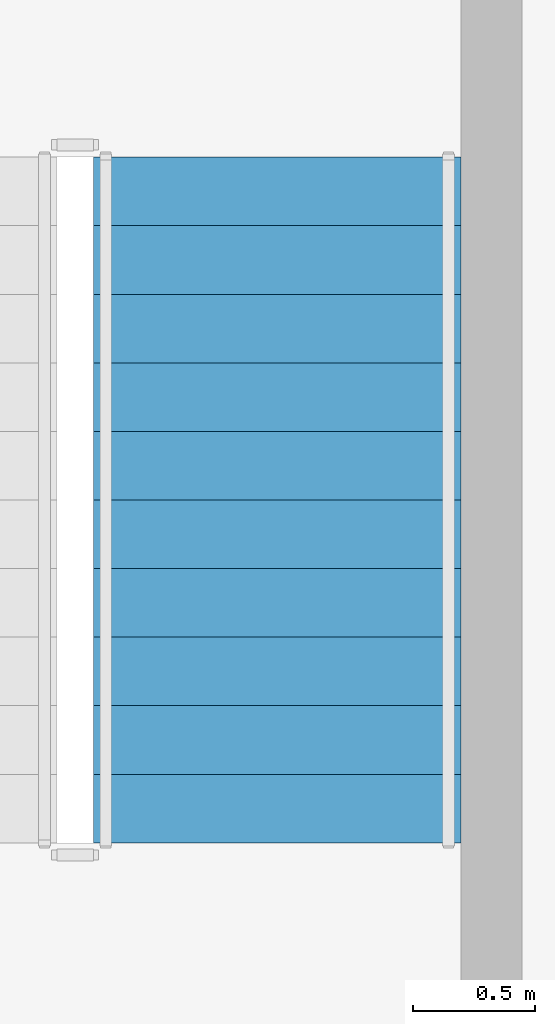
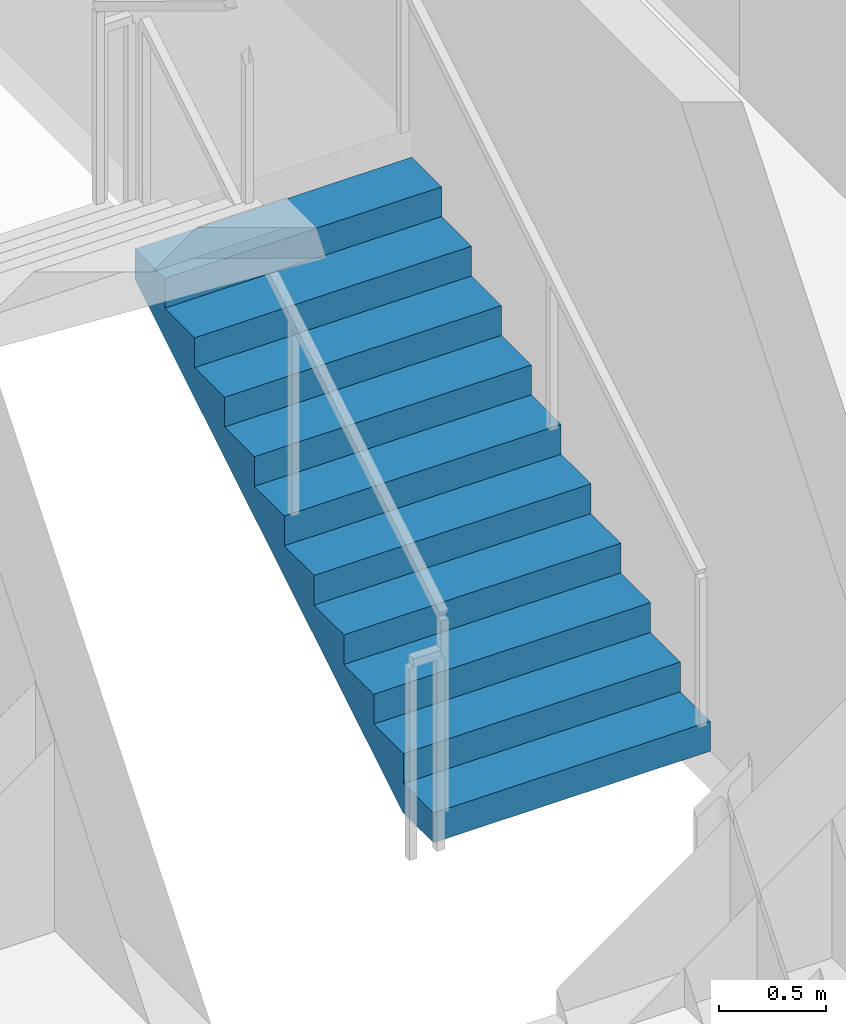
# One storey, part 12 of 17: 1 stair flight, 1 element without a shape of its own.
"""IFC4 building model written with IfcOpenShell, lengths in metres."""

from ifc_helpers import new_model, si_unit, direction, frame, origin, place, context, subcontext, project, spatial, polyline, outline, extrude, source, transform, mapped, material, type_object, element, aggregate, save


model = new_model("IFC4")

# Units and contexts
model_context = context("Model", 3, precision=1e-05, world=origin(), true_north=direction((0.0, 1.0)))
body_context = subcontext(model_context, "Body", "Model", "MODEL_VIEW")
ifc_project = project(units=[si_unit("LENGTHUNIT", "METRE"), si_unit("AREAUNIT", "SQUARE_METRE"), si_unit("VOLUMEUNIT", "CUBIC_METRE"), si_unit("PLANEANGLEUNIT", "RADIAN"), si_unit("MASSUNIT", "GRAM", prefix="KILO")], contexts=[model_context])

# Site, building, storey
site_placement = place(None, origin())
site = spatial("IfcSite", under=ifc_project, at=site_placement, CompositionType="ELEMENT")
building_placement = place(site_placement, origin())
building = spatial("IfcBuilding", under=site, at=building_placement, Name="Vardaveli Station Tower", CompositionType="ELEMENT")
storey_placement = place(building_placement, frame((0.0, 0.0, 218.550048828125)))
storey = spatial("IfcBuildingStorey", under=building, at=storey_placement, Name="L56", CompositionType="ELEMENT", Elevation=218.550048828125)

# Stair, stair flight
ifc_material = material(Name="Concrete C40/50", Category="concrete")
stair_type = type_object("IfcStairType", Name="STR-CORE-1500", PredefinedType="HALF_TURN_STAIR", material=ifc_material)
stair_placement = place(storey_placement, origin())
stair = element("IfcStair", 1, at=stair_placement, inside=storey, type_object=stair_type, Name="L56 ST-3", PredefinedType="HALF_TURN_STAIR")
stair_flight_type = type_object("IfcStairFlightType", Name="SFL-CORE-1500", PredefinedType="STRAIGHT", material=ifc_material)
shared_shape = source(origin(), body_context, "Body", "SweptSolid", [
    extrude(outline(polyline([(0.0, 0.0), (0.0, 0.17041015625), (0.280029296875, 0.17041015625), (0.280029296875, 0.3408203125), (0.56005859375, 0.3408203125), (0.56005859375, 0.511474609375), (0.840087890625, 0.511474609375), (0.840087890625, 0.681884765625), (1.1201171875, 0.681884765625), (1.1201171875, 0.852294921875), (1.39990234375, 0.852294921875), (1.39990234375, 1.022705078125), (1.679931640625, 1.022705078125), (1.679931640625, 1.193115234375), (1.9599609375, 1.193115234375), (1.9599609375, 1.363525390625), (2.239990234375, 1.363525390625), (2.239990234375, 1.5341796875), (2.52001953125, 1.5341796875), (2.52001953125, 1.70458984375), (2.800048828125, 1.70458984375), (2.800048828125, 1.875), (2.800048828125, 1.529052734375), (0.288330078125, 0.0), (0.0, 0.0)])), frame((0.0, 0.75, 0.0), z_axis=(0.0, -1.0, 0.0), x_axis=(1.0, 0.0, 0.0)), (0.0, 0.0, 1.0), 1.5),
])
stair_flight_placement = place(storey_placement, frame((46.5, 32.39990234375, 0.0), z_axis=(0.0, 0.0, 1.0), x_axis=(0.0, 1.0, 0.0)))
stair_flight = element("IfcStairFlight", 2, at=stair_flight_placement, type_object=stair_flight_type, Name="ST-3 flight 1", NumberOfRisers=11, NumberOfTreads=10, PredefinedType="STRAIGHT", RiserHeight=0.170454545, TreadLength=0.28, context=body_context, shape_type="MappedRepresentation", body=[
    mapped(shared_shape, transform((0.0, 0.0, 0.0), scale=1.0)),
])
aggregate(stair, [stair_flight])

save(model, "model.ifc")
